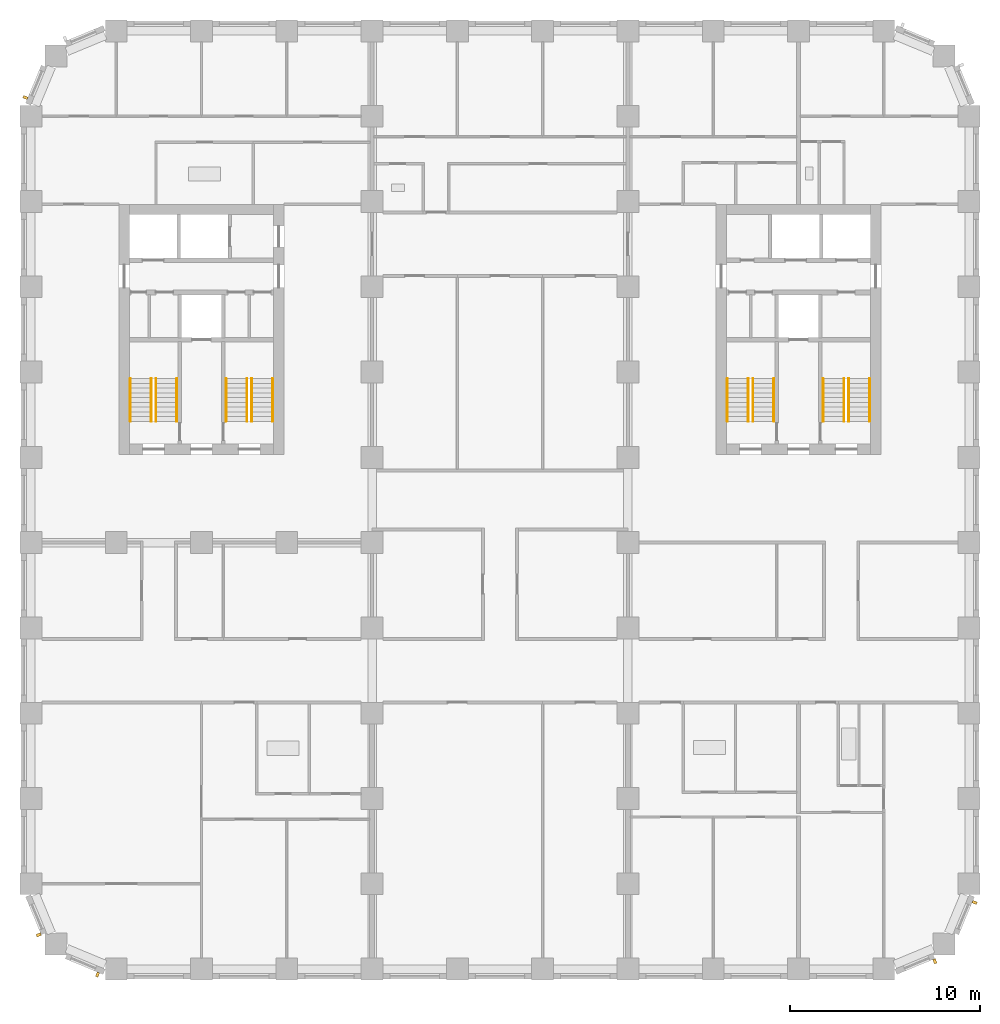
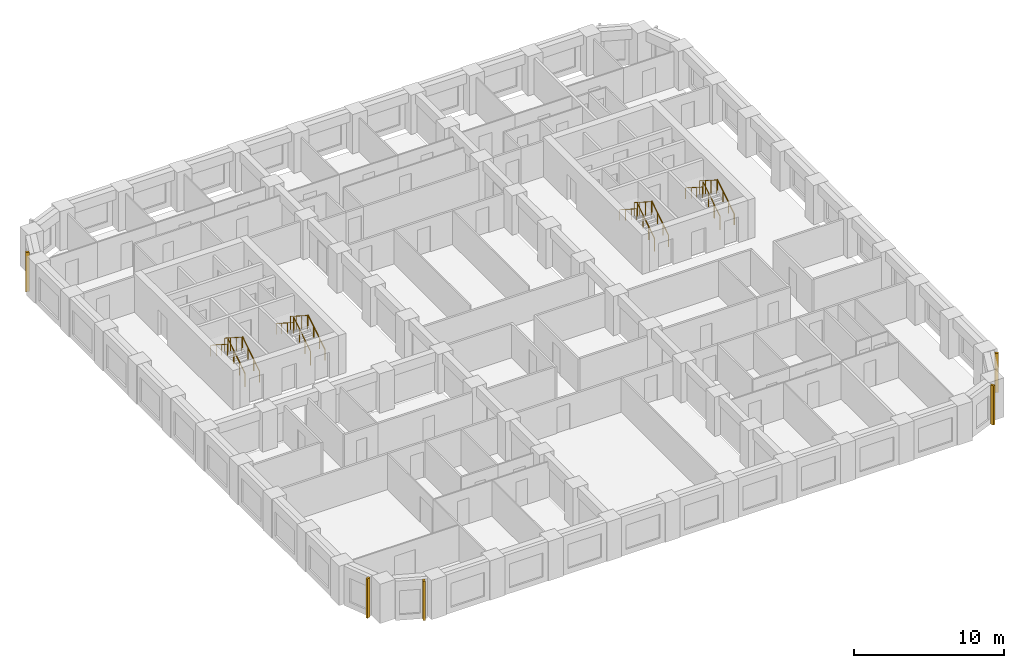
# One storey, part 11 of 13: 16 railings, 5 shading devices.
"""IFC4 building model written with IfcOpenShell, lengths in metres."""

import ifcopenshell
import ifcopenshell.guid

model = None  # the IFC model being written
_history = None  # IfcOwnerHistory: only IFC2X3 demands one
_inside = {}  # id of a spatial element -> (the spatial element, [elements in it])
_under = {}  # id of a project, library or spatial element -> (it, [spatial elements below it])
_declared = {}  # id of a project -> (the project, [libraries it declares])
_typed = {}  # id of a type object -> (the type object, [elements of that type])
_made_of = {}  # id of a material, layer set ... -> (it, [elements and type objects made of it])


def new_model(schema):
    """Start an empty IFC model of exactly this schema.

    Asked for "IFC4X3", IfcOpenShell would pick the latest addendum, in which some entities
    have other attributes; the version numbers below select the first issue.
    IFC2X3 requires an IfcOwnerHistory on every rooted entity: one is made here for all.
    """
    global model, _history
    if schema == "IFC4X3":
        model = ifcopenshell.file(schema_version=(4, 3, 0, 0))
    else:
        model = ifcopenshell.file(schema=schema)
    _inside.clear()
    _under.clear()
    _declared.clear()
    _typed.clear()
    _made_of.clear()
    _history = None
    if model.schema == "IFC2X3":
        org = make("IfcOrganization", Name="unknown")
        user = make(
            "IfcPersonAndOrganization",
            ThePerson=make("IfcPerson", FamilyName="unknown"),
            TheOrganization=org,
        )
        app = make(
            "IfcApplication",
            ApplicationDeveloper=org,
            Version="unknown",
            ApplicationFullName="unknown",
            ApplicationIdentifier="unknown",
        )
        _history = make(
            "IfcOwnerHistory",
            OwningUser=user,
            OwningApplication=app,
            ChangeAction="ADDED",
            CreationDate=0,
        )
    return model


def make(cls, **values):
    """One entity of the class cls with the attributes given. An attribute that is None is left unset."""
    return model.create_entity(
        cls, **{name: value for name, value in values.items() if value is not None}
    )


def rooted(cls, **values):
    """An entity with a GlobalId (a new one), such as an element, a storey or a relation."""
    return make(cls, GlobalId=ifcopenshell.guid.new(), OwnerHistory=_history, **values)


def si_unit(unit_type, name, prefix=None):
    """IfcSIUnit, for example si_unit("LENGTHUNIT", "METRE", prefix="MILLI")."""
    return make("IfcSIUnit", UnitType=unit_type, Prefix=prefix, Name=name)


def assignment(units):
    """IfcUnitAssignment: the units of a project."""
    return None if units is None else make("IfcUnitAssignment", Units=units)


def point(xyz):
    """IfcCartesianPoint."""
    return None if xyz is None else make("IfcCartesianPoint", Coordinates=xyz)


def direction(xyz):
    """IfcDirection."""
    return None if xyz is None else make("IfcDirection", DirectionRatios=xyz)


def frame(location, z_axis=None, x_axis=None):
    """IfcAxis2Placement3D, a coordinate frame: its origin and axes. An axis left out is left unset."""
    return make(
        "IfcAxis2Placement3D",
        Location=point(location),
        Axis=direction(z_axis),
        RefDirection=direction(x_axis),
    )


def frame_2d(location, x_axis=None):
    """IfcAxis2Placement2D, a coordinate frame in the plane: its origin and x axis."""
    return make(
        "IfcAxis2Placement2D", Location=point(location), RefDirection=direction(x_axis)
    )


def origin():
    """The frame at (0, 0, 0) with its axes left unset."""
    return frame((0.0, 0.0, 0.0))


def origin_2d():
    """The frame at (0, 0) in the plane with its x axis left unset."""
    return frame_2d((0.0, 0.0))


def place(relative_to, where):
    """IfcLocalPlacement: puts the frame where relative to a parent placement (None: the world)."""
    return make(
        "IfcLocalPlacement", PlacementRelTo=relative_to, RelativePlacement=where
    )


def context(
    kind, dimensions, precision=None, world=None, true_north=None, identifier=None
):
    """IfcGeometricRepresentationContext, for example the 3D "Model" context."""
    return make(
        "IfcGeometricRepresentationContext",
        ContextIdentifier=identifier,
        ContextType=kind,
        CoordinateSpaceDimension=dimensions,
        Precision=precision,
        WorldCoordinateSystem=world,
        TrueNorth=true_north,
    )


def subcontext(parent, identifier, kind, view, scale=None):
    """IfcGeometricRepresentationSubContext, for example "Body" below "Model"."""
    return make(
        "IfcGeometricRepresentationSubContext",
        ContextIdentifier=identifier,
        ContextType=kind,
        ParentContext=parent,
        TargetScale=scale,
        TargetView=view,
    )


def project(units=None, contexts=None):
    """IfcProject with its units and contexts."""
    return rooted(
        "IfcProject",
        Name="project",
        RepresentationContexts=contexts,
        UnitsInContext=assignment(units),
    )


def spatial(cls, under=None, at=None, **own):
    """A site, building, storey or space (cls), placed at a placement, below another one or the project."""
    s = rooted(cls, ObjectPlacement=at, **own)
    if under is not None:
        _under.setdefault(under.id(), (under, []))[1].append(s)
    return s


def profile(cls, at=None, kind="AREA", **sizes):
    """A parametric profile (cls). Its sizes go by their IFC names, for example OverallWidth=200.0."""
    return make(cls, ProfileType=kind, Position=at, **sizes)


def rectangle(**sizes):
    """IfcRectangleProfileDef."""
    return profile("IfcRectangleProfileDef", **sizes)


def circle(**sizes):
    """IfcCircleProfileDef."""
    return profile("IfcCircleProfileDef", **sizes)


def extrude(swept, where, along, depth):
    """IfcExtrudedAreaSolid: the profile swept, set in the frame where, extruded along a direction by depth."""
    return make(
        "IfcExtrudedAreaSolid",
        SweptArea=swept,
        Position=where,
        ExtrudedDirection=direction(along),
        Depth=depth,
    )


def shape(context_of_items, identifier, shape_type, items):
    """IfcShapeRepresentation: the items that make up one representation, for example the "Body"."""
    return make(
        "IfcShapeRepresentation",
        ContextOfItems=context_of_items,
        RepresentationIdentifier=identifier,
        RepresentationType=shape_type,
        Items=items,
    )


def material(Name=None, Category=None):
    """IfcMaterial."""
    return make("IfcMaterial", Name=Name, Category=Category)


def made_of(thing, what):
    """Note that an element or type object is made of a material, layer set ...; save() writes the relation."""
    if what is not None:
        _made_of.setdefault(what.id(), (what, []))[1].append(thing)
    return thing


def type_object(cls, material=None, **own):
    """A type object (cls), such as IfcWallType, which elements share."""
    return made_of(rooted(cls, **own), material)


def element(
    cls,
    number,
    at=None,
    inside=None,
    cuts=None,
    type_object=None,
    material=None,
    context=None,
    identifier="Body",
    shape_type=None,
    held_by="IfcProductDefinitionShape",
    body=None,
    shapes=None,
    **own,
):
    """One element of the class cls, such as IfcWall. Its Tag is "e" and its number.

    at: its placement. inside: the storey or other place that contains it. cuts: it is an
    opening in that element (IfcRelVoidsElement). A single representation is given by context,
    identifier, shape_type and body (its items); several are given by shapes. held_by: the class
    of the entity that holds the representations. save() writes the other relations.
    """
    e = rooted(cls, Tag="e%d" % number, ObjectPlacement=at, **own)
    if body is not None:
        shapes = [shape(context, identifier, shape_type, body)]
    if shapes is not None:
        e.Representation = make(held_by, Representations=shapes)
    if inside is not None:
        _inside.setdefault(inside.id(), (inside, []))[1].append(e)
    if cuts is not None:
        rooted(
            "IfcRelVoidsElement", RelatingBuildingElement=cuts, RelatedOpeningElement=e
        )
    if type_object is not None:
        _typed.setdefault(type_object.id(), (type_object, []))[1].append(e)
    return made_of(e, material)


def aggregate(whole, parts):
    """IfcRelAggregates: a whole, such as a stair, and the parts it consists of."""
    return rooted("IfcRelAggregates", RelatingObject=whole, RelatedObjects=parts)


def save(model, path):
    """Write the relations noted so far, then the file.

    IfcRelAggregates (storeys below a building ...), IfcRelContainedInSpatialStructure (elements
    in a storey), IfcRelDefinesByType, IfcRelAssociatesMaterial and IfcRelDeclares: one each for
    every whole, place, type object, material and project.
    """
    for whole, parts in _under.values():
        aggregate(whole, parts)
    for where, things in _inside.values():
        rooted(
            "IfcRelContainedInSpatialStructure",
            RelatedElements=things,
            RelatingStructure=where,
        )
    for kind, things in _typed.values():
        rooted("IfcRelDefinesByType", RelatedObjects=things, RelatingType=kind)
    for what, things in _made_of.values():
        rooted("IfcRelAssociatesMaterial", RelatedObjects=things, RelatingMaterial=what)
    for by, libraries in _declared.values():
        rooted("IfcRelDeclares", RelatingContext=by, RelatedDefinitions=libraries)
    model.write(path)


model = new_model("IFC4")

# Units and contexts
model_context = context("Model", 3, precision=1e-05, world=origin(), true_north=direction((0.0, 1.0)))
body_context = subcontext(model_context, "Body", "Model", "MODEL_VIEW")
ifc_project = project(units=[si_unit("LENGTHUNIT", "METRE"), si_unit("AREAUNIT", "SQUARE_METRE"), si_unit("VOLUMEUNIT", "CUBIC_METRE"), si_unit("PLANEANGLEUNIT", "RADIAN"), si_unit("MASSUNIT", "GRAM", prefix="KILO")], contexts=[model_context])

# Site, building, storey
site_placement = place(None, origin())
site = spatial("IfcSite", under=ifc_project, at=site_placement, CompositionType="ELEMENT")
building_placement = place(site_placement, origin())
building = spatial("IfcBuilding", under=site, at=building_placement, Name="Girih Gate Residences", CompositionType="ELEMENT")
storey_placement = place(building_placement, frame((0.0, 0.0, 89.60009765625)))
storey = spatial("IfcBuildingStorey", under=building, at=storey_placement, Name="L24", CompositionType="ELEMENT", Elevation=89.60009765625)

# Shading devices
ifc_material_1 = material(Name="Precast concrete C50/60", Category="concrete")
shading_device_type = type_object("IfcShadingDeviceType", Name="Corner rib 150x250", PredefinedType="USERDEFINED", material=ifc_material_1)
for number, where, z_axis, x_axis, name in (
    (1, (0.412353515625, 1.8056640625, 0.0), (0.0, 0.0, 1.0), (0.382683432365, -0.923879532511, 0.0), "Corner rib SW0000_0045.0"),
    (2, (3.514892578125, -0.29541015625, 0.0), (0.0, 0.0, 1.0), (0.923879532511, -0.382683432365, 0.0), "Corner rib SW0013_0013.0"),
    (3, (47.6943359375, 0.412353515625, 0.0), (0.0, 0.0, 1.0), (0.923879532511, 0.382683432365, 0.0), "Corner rib SE0450_0000.0"),
    (4, (49.79541015625, 3.514892578125, 0.0), (0.0, 0.0, 1.0), (0.382683432365, 0.923879532511, 0.0), "Corner rib SE0482_0013.0"),
    (5, (-0.29541015625, 45.985107421875, 0.0), (0.0, 0.0, 1.0), (-0.382683432365, -0.923879532511, 0.0), "Corner rib NW0013_0482.0"),
):
    element("IfcShadingDevice", number, at=place(storey_placement, frame(where, z_axis=z_axis, x_axis=x_axis)), inside=storey, type_object=shading_device_type, Name=name, ObjectType="FIN", PredefinedType="USERDEFINED", context=body_context, shape_type="SweptSolid", body=[
        extrude(rectangle(XDim=0.14990234375, YDim=0.25, at=origin_2d()), origin(), (0.0, 0.0, 1.0), 3.199951171875),
    ])

# Railings
ifc_material_2 = material(Name="Stainless steel", Category="steel")
railing_type_1 = type_object("IfcRailingType", Name="Stair guard 1100", PredefinedType="GUARDRAIL", material=ifc_material_2)
railing_1_placement = place(storey_placement, frame((6.60009765625, 28.89990234375, 0.159912109375)))
element("IfcRailing", 6, at=railing_1_placement, inside=storey, type_object=railing_type_1, Name="L24 ST-W1 stair guard 1", PredefinedType="GUARDRAIL", context=body_context, shape_type="SweptSolid", body=[
    extrude(circle(Radius=0.02392578125, at=origin_2d()), frame((0.0, 0.0, 1.076171875), z_axis=(0.0, 0.842281359387, 0.539038135598), x_axis=(-1.0, 0.0, 0.0)), (0.0, 0.0, 1.0), 2.67138671875),
    extrude(circle(Radius=0.02099609375, at=origin_2d()), origin(), (0.0, 0.0, 1.0), 1.052001953125),
    extrude(circle(Radius=0.02099609375, at=origin_2d()), frame((0.0, 0.75, 0.47998046875)), (0.0, 0.0, 1.0), 1.052001953125),
    extrude(circle(Radius=0.02099609375, at=origin_2d()), frame((0.0, 1.5, 0.9599609375)), (0.0, 0.0, 1.0), 1.052001953125),
    extrude(circle(Radius=0.02099609375, at=origin_2d()), frame((0.0, 2.25, 1.43994140625)), (0.0, 0.0, 1.0), 1.052001953125),
])
railing_2_placement = place(storey_placement, frame((6.35009765625, 31.14990234375, 1.760009765625)))
element("IfcRailing", 7, at=railing_2_placement, inside=storey, type_object=railing_type_1, Name="L24 ST-W1 stair guard 2", PredefinedType="GUARDRAIL", context=body_context, shape_type="SweptSolid", body=[
    extrude(circle(Radius=0.02392578125, at=origin_2d()), frame((0.0, 0.0, 1.076171875), z_axis=(0.0, -0.842281359387, 0.539038135598), x_axis=(1.0, 0.0, 0.0)), (0.0, 0.0, 1.0), 2.67138671875),
    extrude(circle(Radius=0.02099609375, at=origin_2d()), origin(), (0.0, 0.0, 1.0), 1.052001953125),
    extrude(circle(Radius=0.02099609375, at=origin_2d()), frame((0.0, -0.75, 0.47998046875)), (0.0, 0.0, 1.0), 1.052001953125),
    extrude(circle(Radius=0.02099609375, at=origin_2d()), frame((0.0, -1.5, 0.9599609375)), (0.0, 0.0, 1.0), 1.052001953125),
    extrude(circle(Radius=0.02099609375, at=origin_2d()), frame((0.0, -2.25, 1.43994140625)), (0.0, 0.0, 1.0), 1.052001953125),
])
railing_3_placement = place(storey_placement, frame((11.64990234375, 28.89990234375, 0.159912109375)))
element("IfcRailing", 8, at=railing_3_placement, inside=storey, type_object=railing_type_1, Name="L24 ST-W2 stair guard 1", PredefinedType="GUARDRAIL", context=body_context, shape_type="SweptSolid", body=[
    extrude(circle(Radius=0.02392578125, at=origin_2d()), frame((0.0, 0.0, 1.076171875), z_axis=(0.0, 0.842281359387, 0.539038135598), x_axis=(-1.0, 0.0, 0.0)), (0.0, 0.0, 1.0), 2.67138671875),
    extrude(circle(Radius=0.02099609375, at=origin_2d()), origin(), (0.0, 0.0, 1.0), 1.052001953125),
    extrude(circle(Radius=0.02099609375, at=origin_2d()), frame((0.0, 0.75, 0.47998046875)), (0.0, 0.0, 1.0), 1.052001953125),
    extrude(circle(Radius=0.02099609375, at=origin_2d()), frame((0.0, 1.5, 0.9599609375)), (0.0, 0.0, 1.0), 1.052001953125),
    extrude(circle(Radius=0.02099609375, at=origin_2d()), frame((0.0, 2.25, 1.43994140625)), (0.0, 0.0, 1.0), 1.052001953125),
])
railing_4_placement = place(storey_placement, frame((11.39990234375, 31.14990234375, 1.760009765625)))
element("IfcRailing", 9, at=railing_4_placement, inside=storey, type_object=railing_type_1, Name="L24 ST-W2 stair guard 2", PredefinedType="GUARDRAIL", context=body_context, shape_type="SweptSolid", body=[
    extrude(circle(Radius=0.02392578125, at=origin_2d()), frame((0.0, 0.0, 1.076171875), z_axis=(0.0, -0.842281359387, 0.539038135598), x_axis=(1.0, 0.0, 0.0)), (0.0, 0.0, 1.0), 2.67138671875),
    extrude(circle(Radius=0.02099609375, at=origin_2d()), origin(), (0.0, 0.0, 1.0), 1.052001953125),
    extrude(circle(Radius=0.02099609375, at=origin_2d()), frame((0.0, -0.75, 0.47998046875)), (0.0, 0.0, 1.0), 1.052001953125),
    extrude(circle(Radius=0.02099609375, at=origin_2d()), frame((0.0, -1.5, 0.9599609375)), (0.0, 0.0, 1.0), 1.052001953125),
    extrude(circle(Radius=0.02099609375, at=origin_2d()), frame((0.0, -2.25, 1.43994140625)), (0.0, 0.0, 1.0), 1.052001953125),
])
railing_5_placement = place(storey_placement, frame((43.14990234375, 28.89990234375, 0.159912109375)))
element("IfcRailing", 10, at=railing_5_placement, inside=storey, type_object=railing_type_1, Name="L24 ST-E1 stair guard 1", PredefinedType="GUARDRAIL", context=body_context, shape_type="SweptSolid", body=[
    extrude(circle(Radius=0.02392578125, at=origin_2d()), frame((0.0, 0.0, 1.076171875), z_axis=(0.0, 0.842281359387, 0.539038135598), x_axis=(-1.0, 0.0, 0.0)), (0.0, 0.0, 1.0), 2.67138671875),
    extrude(circle(Radius=0.02099609375, at=origin_2d()), origin(), (0.0, 0.0, 1.0), 1.052001953125),
    extrude(circle(Radius=0.02099609375, at=origin_2d()), frame((0.0, 0.75, 0.47998046875)), (0.0, 0.0, 1.0), 1.052001953125),
    extrude(circle(Radius=0.02099609375, at=origin_2d()), frame((0.0, 1.5, 0.9599609375)), (0.0, 0.0, 1.0), 1.052001953125),
    extrude(circle(Radius=0.02099609375, at=origin_2d()), frame((0.0, 2.25, 1.43994140625)), (0.0, 0.0, 1.0), 1.052001953125),
])
railing_6_placement = place(storey_placement, frame((42.89990234375, 31.14990234375, 1.760009765625)))
element("IfcRailing", 11, at=railing_6_placement, inside=storey, type_object=railing_type_1, Name="L24 ST-E1 stair guard 2", PredefinedType="GUARDRAIL", context=body_context, shape_type="SweptSolid", body=[
    extrude(circle(Radius=0.02392578125, at=origin_2d()), frame((0.0, 0.0, 1.076171875), z_axis=(0.0, -0.842281359387, 0.539038135598), x_axis=(1.0, 0.0, 0.0)), (0.0, 0.0, 1.0), 2.67138671875),
    extrude(circle(Radius=0.02099609375, at=origin_2d()), origin(), (0.0, 0.0, 1.0), 1.052001953125),
    extrude(circle(Radius=0.02099609375, at=origin_2d()), frame((0.0, -0.75, 0.47998046875)), (0.0, 0.0, 1.0), 1.052001953125),
    extrude(circle(Radius=0.02099609375, at=origin_2d()), frame((0.0, -1.5, 0.9599609375)), (0.0, 0.0, 1.0), 1.052001953125),
    extrude(circle(Radius=0.02099609375, at=origin_2d()), frame((0.0, -2.25, 1.43994140625)), (0.0, 0.0, 1.0), 1.052001953125),
])
railing_7_placement = place(storey_placement, frame((38.10009765625, 28.89990234375, 0.159912109375)))
element("IfcRailing", 12, at=railing_7_placement, inside=storey, type_object=railing_type_1, Name="L24 ST-E2 stair guard 1", PredefinedType="GUARDRAIL", context=body_context, shape_type="SweptSolid", body=[
    extrude(circle(Radius=0.02392578125, at=origin_2d()), frame((0.0, 0.0, 1.076171875), z_axis=(0.0, 0.842281359387, 0.539038135598), x_axis=(-1.0, 0.0, 0.0)), (0.0, 0.0, 1.0), 2.67138671875),
    extrude(circle(Radius=0.02099609375, at=origin_2d()), origin(), (0.0, 0.0, 1.0), 1.052001953125),
    extrude(circle(Radius=0.02099609375, at=origin_2d()), frame((0.0, 0.75, 0.47998046875)), (0.0, 0.0, 1.0), 1.052001953125),
    extrude(circle(Radius=0.02099609375, at=origin_2d()), frame((0.0, 1.5, 0.9599609375)), (0.0, 0.0, 1.0), 1.052001953125),
    extrude(circle(Radius=0.02099609375, at=origin_2d()), frame((0.0, 2.25, 1.43994140625)), (0.0, 0.0, 1.0), 1.052001953125),
])
railing_8_placement = place(storey_placement, frame((37.85009765625, 31.14990234375, 1.760009765625)))
element("IfcRailing", 13, at=railing_8_placement, inside=storey, type_object=railing_type_1, Name="L24 ST-E2 stair guard 2", PredefinedType="GUARDRAIL", context=body_context, shape_type="SweptSolid", body=[
    extrude(circle(Radius=0.02392578125, at=origin_2d()), frame((0.0, 0.0, 1.076171875), z_axis=(0.0, -0.842281359387, 0.539038135598), x_axis=(1.0, 0.0, 0.0)), (0.0, 0.0, 1.0), 2.67138671875),
    extrude(circle(Radius=0.02099609375, at=origin_2d()), origin(), (0.0, 0.0, 1.0), 1.052001953125),
    extrude(circle(Radius=0.02099609375, at=origin_2d()), frame((0.0, -0.75, 0.47998046875)), (0.0, 0.0, 1.0), 1.052001953125),
    extrude(circle(Radius=0.02099609375, at=origin_2d()), frame((0.0, -1.5, 0.9599609375)), (0.0, 0.0, 1.0), 1.052001953125),
    extrude(circle(Radius=0.02099609375, at=origin_2d()), frame((0.0, -2.25, 1.43994140625)), (0.0, 0.0, 1.0), 1.052001953125),
])
railing_type_2 = type_object("IfcRailingType", Name="Stair handrail 900", PredefinedType="HANDRAIL", material=ifc_material_2)
railing_9_placement = place(storey_placement, frame((7.699951171875, 28.89990234375, 0.159912109375)))
element("IfcRailing", 14, at=railing_9_placement, inside=storey, type_object=railing_type_2, Name="L24 ST-W1 stair handrail 1", PredefinedType="HANDRAIL", context=body_context, shape_type="SweptSolid", body=[
    extrude(circle(Radius=0.02392578125, at=origin_2d()), frame((0.0, 0.0, 0.8857421875), z_axis=(0.0, 0.842281359387, 0.539038135598), x_axis=(-1.0, 0.0, 0.0)), (0.0, 0.0, 1.0), 2.67138671875),
    extrude(circle(Radius=0.02099609375, at=origin_2d()), origin(), (0.0, 0.0, 1.0), 0.86181640625),
    extrude(circle(Radius=0.02099609375, at=origin_2d()), frame((0.0, 0.75, 0.47998046875)), (0.0, 0.0, 1.0), 0.86181640625),
    extrude(circle(Radius=0.02099609375, at=origin_2d()), frame((0.0, 1.5, 0.9599609375)), (0.0, 0.0, 1.0), 0.86181640625),
    extrude(circle(Radius=0.02099609375, at=origin_2d()), frame((0.0, 2.25, 1.43994140625)), (0.0, 0.0, 1.0), 0.86181640625),
])
railing_10_placement = place(storey_placement, frame((5.25, 31.14990234375, 1.760009765625)))
element("IfcRailing", 15, at=railing_10_placement, inside=storey, type_object=railing_type_2, Name="L24 ST-W1 stair handrail 2", PredefinedType="HANDRAIL", context=body_context, shape_type="SweptSolid", body=[
    extrude(circle(Radius=0.02392578125, at=origin_2d()), frame((0.0, 0.0, 0.8857421875), z_axis=(0.0, -0.842281359387, 0.539038135598), x_axis=(1.0, 0.0, 0.0)), (0.0, 0.0, 1.0), 2.67138671875),
    extrude(circle(Radius=0.02099609375, at=origin_2d()), origin(), (0.0, 0.0, 1.0), 0.86181640625),
    extrude(circle(Radius=0.02099609375, at=origin_2d()), frame((0.0, -0.75, 0.47998046875)), (0.0, 0.0, 1.0), 0.86181640625),
    extrude(circle(Radius=0.02099609375, at=origin_2d()), frame((0.0, -1.5, 0.9599609375)), (0.0, 0.0, 1.0), 0.86181640625),
    extrude(circle(Radius=0.02099609375, at=origin_2d()), frame((0.0, -2.25, 1.43994140625)), (0.0, 0.0, 1.0), 0.86181640625),
])
railing_11_placement = place(storey_placement, frame((12.75, 28.89990234375, 0.159912109375)))
element("IfcRailing", 16, at=railing_11_placement, inside=storey, type_object=railing_type_2, Name="L24 ST-W2 stair handrail 1", PredefinedType="HANDRAIL", context=body_context, shape_type="SweptSolid", body=[
    extrude(circle(Radius=0.02392578125, at=origin_2d()), frame((0.0, 0.0, 0.8857421875), z_axis=(0.0, 0.842281359387, 0.539038135598), x_axis=(-1.0, 0.0, 0.0)), (0.0, 0.0, 1.0), 2.67138671875),
    extrude(circle(Radius=0.02099609375, at=origin_2d()), origin(), (0.0, 0.0, 1.0), 0.86181640625),
    extrude(circle(Radius=0.02099609375, at=origin_2d()), frame((0.0, 0.75, 0.47998046875)), (0.0, 0.0, 1.0), 0.86181640625),
    extrude(circle(Radius=0.02099609375, at=origin_2d()), frame((0.0, 1.5, 0.9599609375)), (0.0, 0.0, 1.0), 0.86181640625),
    extrude(circle(Radius=0.02099609375, at=origin_2d()), frame((0.0, 2.25, 1.43994140625)), (0.0, 0.0, 1.0), 0.86181640625),
])
railing_12_placement = place(storey_placement, frame((10.300048828125, 31.14990234375, 1.760009765625)))
element("IfcRailing", 17, at=railing_12_placement, inside=storey, type_object=railing_type_2, Name="L24 ST-W2 stair handrail 2", PredefinedType="HANDRAIL", context=body_context, shape_type="SweptSolid", body=[
    extrude(circle(Radius=0.02392578125, at=origin_2d()), frame((0.0, 0.0, 0.8857421875), z_axis=(0.0, -0.842281359387, 0.539038135598), x_axis=(1.0, 0.0, 0.0)), (0.0, 0.0, 1.0), 2.67138671875),
    extrude(circle(Radius=0.02099609375, at=origin_2d()), origin(), (0.0, 0.0, 1.0), 0.86181640625),
    extrude(circle(Radius=0.02099609375, at=origin_2d()), frame((0.0, -0.75, 0.47998046875)), (0.0, 0.0, 1.0), 0.86181640625),
    extrude(circle(Radius=0.02099609375, at=origin_2d()), frame((0.0, -1.5, 0.9599609375)), (0.0, 0.0, 1.0), 0.86181640625),
    extrude(circle(Radius=0.02099609375, at=origin_2d()), frame((0.0, -2.25, 1.43994140625)), (0.0, 0.0, 1.0), 0.86181640625),
])
railing_13_placement = place(storey_placement, frame((44.25, 28.89990234375, 0.159912109375)))
element("IfcRailing", 18, at=railing_13_placement, inside=storey, type_object=railing_type_2, Name="L24 ST-E1 stair handrail 1", PredefinedType="HANDRAIL", context=body_context, shape_type="SweptSolid", body=[
    extrude(circle(Radius=0.02392578125, at=origin_2d()), frame((0.0, 0.0, 0.8857421875), z_axis=(0.0, 0.842281359387, 0.539038135598), x_axis=(-1.0, 0.0, 0.0)), (0.0, 0.0, 1.0), 2.67138671875),
    extrude(circle(Radius=0.02099609375, at=origin_2d()), origin(), (0.0, 0.0, 1.0), 0.86181640625),
    extrude(circle(Radius=0.02099609375, at=origin_2d()), frame((0.0, 0.75, 0.47998046875)), (0.0, 0.0, 1.0), 0.86181640625),
    extrude(circle(Radius=0.02099609375, at=origin_2d()), frame((0.0, 1.5, 0.9599609375)), (0.0, 0.0, 1.0), 0.86181640625),
    extrude(circle(Radius=0.02099609375, at=origin_2d()), frame((0.0, 2.25, 1.43994140625)), (0.0, 0.0, 1.0), 0.86181640625),
])
railing_14_placement = place(storey_placement, frame((41.800048828125, 31.14990234375, 1.760009765625)))
element("IfcRailing", 19, at=railing_14_placement, inside=storey, type_object=railing_type_2, Name="L24 ST-E1 stair handrail 2", PredefinedType="HANDRAIL", context=body_context, shape_type="SweptSolid", body=[
    extrude(circle(Radius=0.02392578125, at=origin_2d()), frame((0.0, 0.0, 0.8857421875), z_axis=(0.0, -0.842281359387, 0.539038135598), x_axis=(1.0, 0.0, 0.0)), (0.0, 0.0, 1.0), 2.67138671875),
    extrude(circle(Radius=0.02099609375, at=origin_2d()), origin(), (0.0, 0.0, 1.0), 0.86181640625),
    extrude(circle(Radius=0.02099609375, at=origin_2d()), frame((0.0, -0.75, 0.47998046875)), (0.0, 0.0, 1.0), 0.86181640625),
    extrude(circle(Radius=0.02099609375, at=origin_2d()), frame((0.0, -1.5, 0.9599609375)), (0.0, 0.0, 1.0), 0.86181640625),
    extrude(circle(Radius=0.02099609375, at=origin_2d()), frame((0.0, -2.25, 1.43994140625)), (0.0, 0.0, 1.0), 0.86181640625),
])
railing_15_placement = place(storey_placement, frame((39.199951171875, 28.89990234375, 0.159912109375)))
element("IfcRailing", 20, at=railing_15_placement, inside=storey, type_object=railing_type_2, Name="L24 ST-E2 stair handrail 1", PredefinedType="HANDRAIL", context=body_context, shape_type="SweptSolid", body=[
    extrude(circle(Radius=0.02392578125, at=origin_2d()), frame((0.0, 0.0, 0.8857421875), z_axis=(0.0, 0.842281359387, 0.539038135598), x_axis=(-1.0, 0.0, 0.0)), (0.0, 0.0, 1.0), 2.67138671875),
    extrude(circle(Radius=0.02099609375, at=origin_2d()), origin(), (0.0, 0.0, 1.0), 0.86181640625),
    extrude(circle(Radius=0.02099609375, at=origin_2d()), frame((0.0, 0.75, 0.47998046875)), (0.0, 0.0, 1.0), 0.86181640625),
    extrude(circle(Radius=0.02099609375, at=origin_2d()), frame((0.0, 1.5, 0.9599609375)), (0.0, 0.0, 1.0), 0.86181640625),
    extrude(circle(Radius=0.02099609375, at=origin_2d()), frame((0.0, 2.25, 1.43994140625)), (0.0, 0.0, 1.0), 0.86181640625),
])
railing_16_placement = place(storey_placement, frame((36.75, 31.14990234375, 1.760009765625)))
element("IfcRailing", 21, at=railing_16_placement, inside=storey, type_object=railing_type_2, Name="L24 ST-E2 stair handrail 2", PredefinedType="HANDRAIL", context=body_context, shape_type="SweptSolid", body=[
    extrude(circle(Radius=0.02392578125, at=origin_2d()), frame((0.0, 0.0, 0.8857421875), z_axis=(0.0, -0.842281359387, 0.539038135598), x_axis=(1.0, 0.0, 0.0)), (0.0, 0.0, 1.0), 2.67138671875),
    extrude(circle(Radius=0.02099609375, at=origin_2d()), origin(), (0.0, 0.0, 1.0), 0.86181640625),
    extrude(circle(Radius=0.02099609375, at=origin_2d()), frame((0.0, -0.75, 0.47998046875)), (0.0, 0.0, 1.0), 0.86181640625),
    extrude(circle(Radius=0.02099609375, at=origin_2d()), frame((0.0, -1.5, 0.9599609375)), (0.0, 0.0, 1.0), 0.86181640625),
    extrude(circle(Radius=0.02099609375, at=origin_2d()), frame((0.0, -2.25, 1.43994140625)), (0.0, 0.0, 1.0), 0.86181640625),
])

save(model, "model.ifc")
